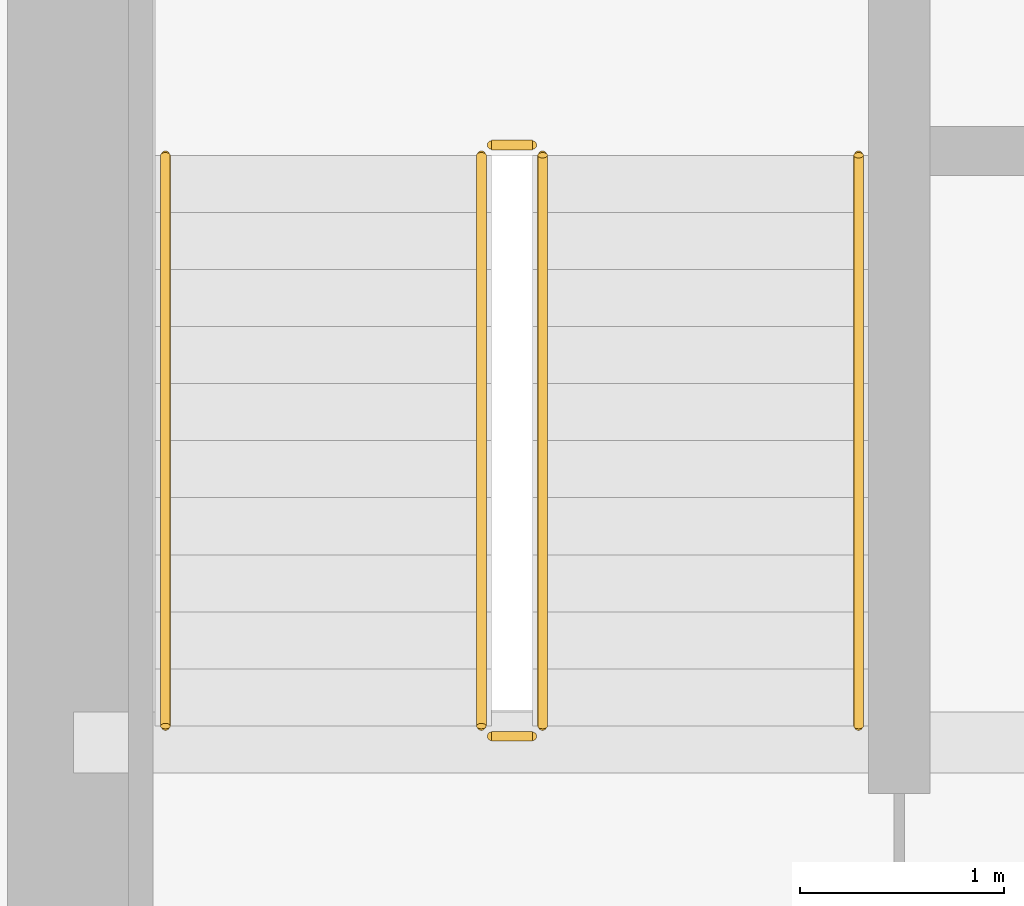
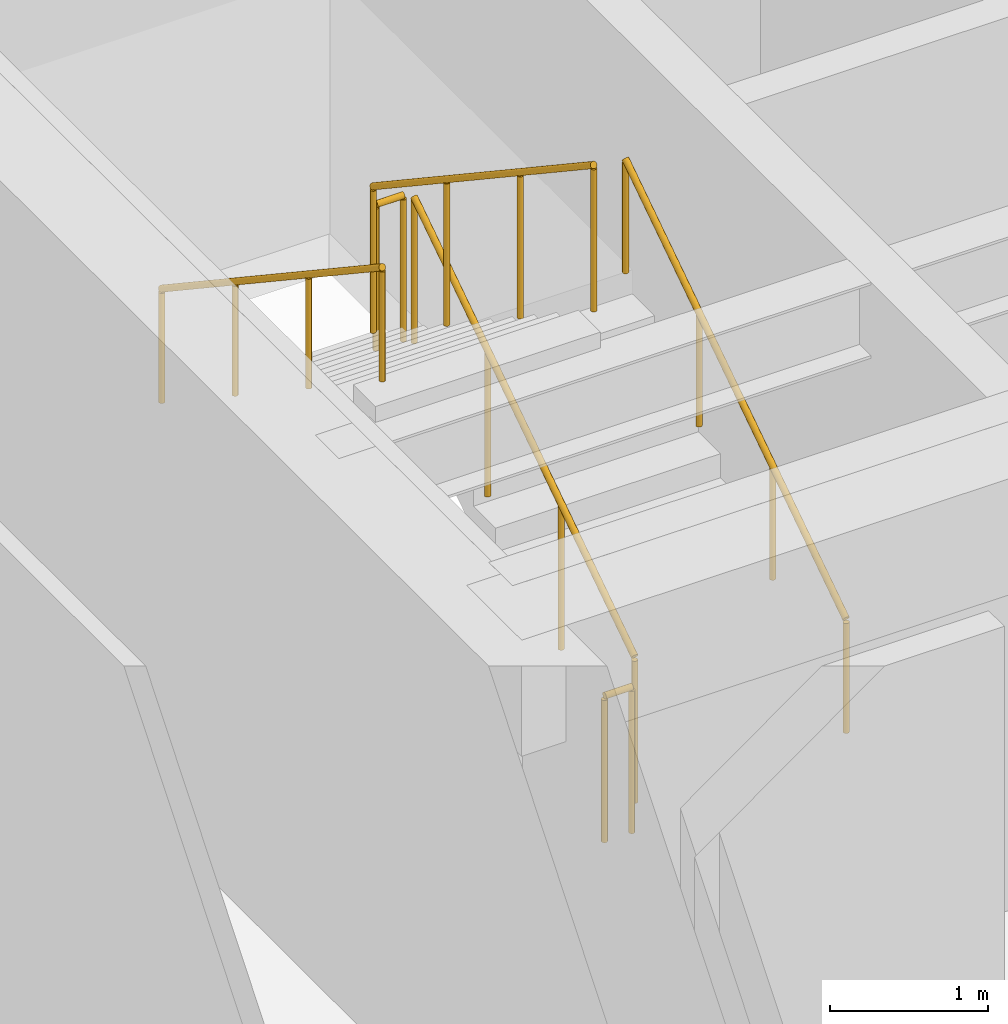
# One storey, part 29 of 30: 6 railings.
"""IFC4 building model written with IfcOpenShell, lengths in metres."""

from ifc_helpers import new_model, si_unit, direction, frame, origin, origin_2d, place, context, subcontext, project, spatial, circle, extrude, source, transform, mapped, material, type_object, type_shapes, element, save


model = new_model("IFC4")

# Units and contexts
model_context = context("Model", 3, precision=1e-05, world=origin(), true_north=direction((0.0, 1.0)))
body_context = subcontext(model_context, "Body", "Model", "MODEL_VIEW")
ifc_project = project(units=[si_unit("LENGTHUNIT", "METRE"), si_unit("AREAUNIT", "SQUARE_METRE"), si_unit("VOLUMEUNIT", "CUBIC_METRE"), si_unit("PLANEANGLEUNIT", "RADIAN"), si_unit("MASSUNIT", "GRAM", prefix="KILO")], contexts=[model_context])

# Site, building, storey
site_placement = place(None, origin())
site = spatial("IfcSite", under=ifc_project, at=site_placement, CompositionType="ELEMENT")
building_placement = place(site_placement, origin())
building = spatial("IfcBuilding", under=site, at=building_placement, Name="Haelvirn Gate Laboratories", CompositionType="ELEMENT")
storey_placement = place(building_placement, frame((0.0, 0.0, 125.60009765625)))
storey = spatial("IfcBuildingStorey", under=building, at=storey_placement, Name="L30", CompositionType="ELEMENT", Elevation=125.60009765625)

# Railings
ifc_material_1 = material(Name="Galvanised steel SM355 & stainless top rail", Category="steel")
railing_type_1 = type_object("IfcRailingType", Name="RL-GUARD-1150", PredefinedType="GUARDRAIL", material=ifc_material_1)
shared_shape_1 = source(origin(), body_context, "Body", "SweptSolid", [
    extrude(circle(Radius=0.02392578125, at=origin_2d()), frame((0.0, 0.0, 1.1259765625), z_axis=(-1.0, 0.0, 0.0), x_axis=(0.0, -1.0, 0.0)), (0.0, 0.0, 1.0), 0.199951171875),
    extrude(circle(Radius=0.02099609375, at=origin_2d()), origin(), (0.0, 0.0, 1.0), 1.101806640625),
    extrude(circle(Radius=0.02099609375, at=origin_2d()), frame((-0.199951171875, 0.0, 0.0)), (0.0, 0.0, 1.0), 1.101806640625),
])
for number, where, name in (
    (1, (9.64990234375, 29.550048828125, 2.0498046875), "L30 ST1 stair guard 2"),
    (2, (9.64990234375, 26.64990234375, 0.0), "L30 ST1 stair guard 4"),
):
    element("IfcRailing", number, at=place(storey_placement, frame(where)), inside=storey, type_object=railing_type_1, Name=name, PredefinedType="GUARDRAIL", context=body_context, shape_type="MappedRepresentation", body=[
        mapped(shared_shape_1, transform((0.0, 0.0, 0.0), scale=1.0)),
    ])
shared_shape_2 = source(origin(), body_context, "Body", "SweptSolid", [
    extrude(circle(Radius=0.02392578125, at=origin_2d()), frame((0.0, 0.0, 1.1259765625), z_axis=(0.0, 0.832485552168, 0.554046753832), x_axis=(-1.0, 0.0, 0.0)), (0.0, 0.0, 1.0), 3.363525390625),
    extrude(circle(Radius=0.02099609375, at=origin_2d()), origin(), (0.0, 0.0, 1.0), 1.101806640625),
    extrude(circle(Radius=0.02099609375, at=origin_2d()), frame((0.0, 0.933349609375, 0.62109375)), (0.0, 0.0, 1.0), 1.101806640625),
    extrude(circle(Radius=0.02099609375, at=origin_2d()), frame((0.0, 1.86669921875, 1.242431640625)), (0.0, 0.0, 1.0), 1.101806640625),
    extrude(circle(Radius=0.02099609375, at=origin_2d()), frame((0.0, 2.800048828125, 1.863525390625)), (0.0, 0.0, 1.0), 1.101806640625),
])
railing_1_placement = place(storey_placement, frame((9.699951171875, 26.699951171875, 0.186279296875)))
element("IfcRailing", 3, at=railing_1_placement, inside=storey, type_object=railing_type_1, Name="L30 ST1 stair guard 1", PredefinedType="GUARDRAIL", context=body_context, shape_type="MappedRepresentation", body=[
    mapped(shared_shape_2, transform((0.0, 0.0, 0.0), scale=1.0)),
])
ifc_material_2 = material(Name="Brushed stainless steel 316L", Category="steel")
railing_type_2 = type_object("IfcRailingType", Name="RL-HAND-920", PredefinedType="HANDRAIL", material=ifc_material_2)
shared_shape_3 = source(origin(), body_context, "Body", "SweptSolid", [
    extrude(circle(Radius=0.02392578125, at=origin_2d()), frame((0.0, 0.0, 0.8759765625), z_axis=(0.0, 0.832485552168, 0.554046753832), x_axis=(-1.0, 0.0, 0.0)), (0.0, 0.0, 1.0), 3.363525390625),
    extrude(circle(Radius=0.02099609375, at=origin_2d()), origin(), (0.0, 0.0, 1.0), 0.851806640625),
    extrude(circle(Radius=0.02099609375, at=origin_2d()), frame((0.0, 0.933349609375, 0.62109375)), (0.0, 0.0, 1.0), 0.851806640625),
    extrude(circle(Radius=0.02099609375, at=origin_2d()), frame((0.0, 1.86669921875, 1.242431640625)), (0.0, 0.0, 1.0), 0.851806640625),
    extrude(circle(Radius=0.02099609375, at=origin_2d()), frame((0.0, 2.800048828125, 1.863525390625)), (0.0, 0.0, 1.0), 0.851806640625),
])
railing_2_placement = place(storey_placement, frame((11.25, 26.699951171875, 0.186279296875)))
element("IfcRailing", 4, at=railing_2_placement, inside=storey, type_object=railing_type_2, Name="L30 ST1 stair handrail 1", PredefinedType="HANDRAIL", context=body_context, shape_type="MappedRepresentation", body=[
    mapped(shared_shape_3, transform((0.0, 0.0, 0.0), scale=1.0)),
])
shared_shape_4 = source(origin(), body_context, "Body", "SweptSolid", [
    extrude(circle(Radius=0.02392578125, at=origin_2d()), frame((0.0, 0.0, 1.1259765625), z_axis=(0.0, -0.832485552168, 0.554046753832), x_axis=(1.0, 0.0, 0.0)), (0.0, 0.0, 1.0), 3.363525390625),
    extrude(circle(Radius=0.02099609375, at=origin_2d()), origin(), (0.0, 0.0, 1.0), 1.101806640625),
    extrude(circle(Radius=0.02099609375, at=origin_2d()), frame((0.0, -0.933349609375, 0.62109375)), (0.0, 0.0, 1.0), 1.101806640625),
    extrude(circle(Radius=0.02099609375, at=origin_2d()), frame((0.0, -1.86669921875, 1.242431640625)), (0.0, 0.0, 1.0), 1.101806640625),
    extrude(circle(Radius=0.02099609375, at=origin_2d()), frame((0.0, -2.800048828125, 1.863525390625)), (0.0, 0.0, 1.0), 1.101806640625),
])
type_shapes(railing_type_1, [shared_shape_1, shared_shape_2, shared_shape_4])
railing_3_placement = place(storey_placement, frame((9.39990234375, 29.5, 2.236328125)))
element("IfcRailing", 5, at=railing_3_placement, inside=storey, type_object=railing_type_1, Name="L30 ST1 stair guard 3", PredefinedType="GUARDRAIL", context=body_context, shape_type="MappedRepresentation", body=[
    mapped(shared_shape_4, transform((0.0, 0.0, 0.0), scale=1.0)),
])
shared_shape_5 = source(origin(), body_context, "Body", "SweptSolid", [
    extrude(circle(Radius=0.02392578125, at=origin_2d()), frame((0.0, 0.0, 0.8759765625), z_axis=(0.0, -0.832485552168, 0.554046753832), x_axis=(1.0, 0.0, 0.0)), (0.0, 0.0, 1.0), 3.363525390625),
    extrude(circle(Radius=0.02099609375, at=origin_2d()), origin(), (0.0, 0.0, 1.0), 0.851806640625),
    extrude(circle(Radius=0.02099609375, at=origin_2d()), frame((0.0, -0.933349609375, 0.62109375)), (0.0, 0.0, 1.0), 0.851806640625),
    extrude(circle(Radius=0.02099609375, at=origin_2d()), frame((0.0, -1.86669921875, 1.242431640625)), (0.0, 0.0, 1.0), 0.851806640625),
    extrude(circle(Radius=0.02099609375, at=origin_2d()), frame((0.0, -2.800048828125, 1.863525390625)), (0.0, 0.0, 1.0), 0.851806640625),
])
type_shapes(railing_type_2, [shared_shape_3, shared_shape_5])
railing_4_placement = place(storey_placement, frame((7.85009765625, 29.5, 2.236328125)))
element("IfcRailing", 6, at=railing_4_placement, inside=storey, type_object=railing_type_2, Name="L30 ST1 stair handrail 2", PredefinedType="HANDRAIL", context=body_context, shape_type="MappedRepresentation", body=[
    mapped(shared_shape_5, transform((0.0, 0.0, 0.0), scale=1.0)),
])

save(model, "model.ifc")
